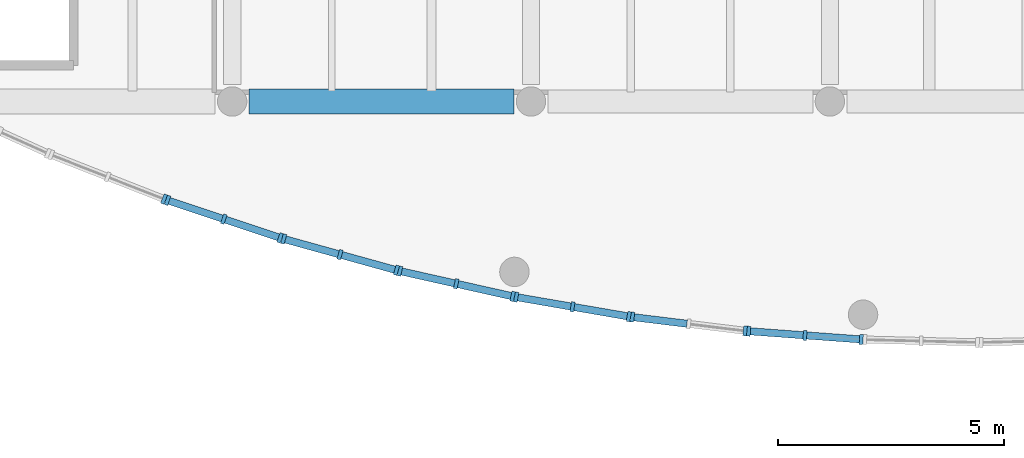
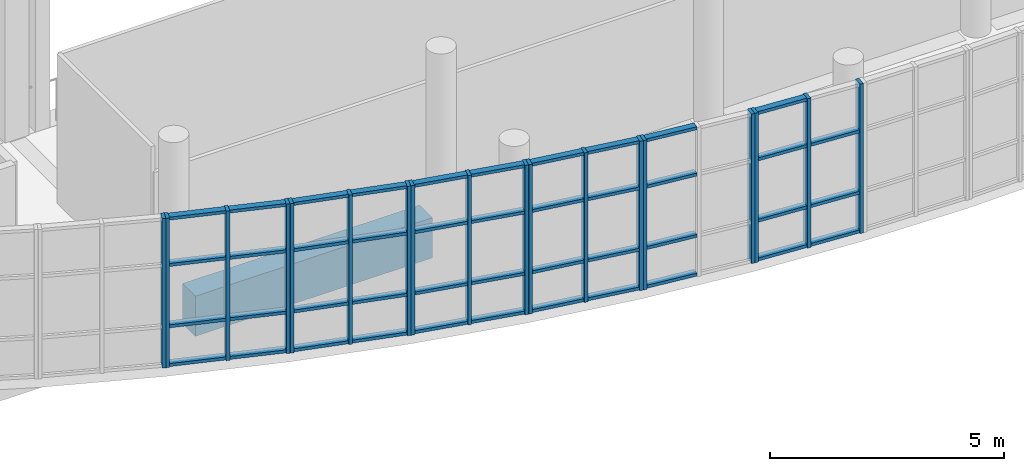
# One storey, part 10 of 67: 61 members, 1 beam, 7 elements without a shape of their own.
"""IFC4 building model written with IfcOpenShell, lengths in metres."""

from ifc_helpers import new_model, si_unit, direction, frame, origin, origin_2d, place, context, subcontext, project, spatial, rectangle, extrude, material, material_profile, profile_set, type_object, element, aggregate, save


model = new_model("IFC4")

# Units and contexts
model_context = context("Model", 3, precision=1e-05, world=origin(), true_north=direction((0.0, 1.0)))
body_context = subcontext(model_context, "Body", "Model", "MODEL_VIEW")
ifc_project = project(units=[si_unit("LENGTHUNIT", "METRE"), si_unit("AREAUNIT", "SQUARE_METRE"), si_unit("VOLUMEUNIT", "CUBIC_METRE"), si_unit("PLANEANGLEUNIT", "RADIAN"), si_unit("MASSUNIT", "GRAM", prefix="KILO")], contexts=[model_context])

# Site, building, storey
site_placement = place(None, origin())
site = spatial("IfcSite", under=ifc_project, at=site_placement, CompositionType="ELEMENT")
building_placement = place(site_placement, origin())
building = spatial("IfcBuilding", under=site, at=building_placement, Name="Ciguamira Faculty of Natural Sciences", CompositionType="ELEMENT")
storey_placement = place(building_placement, frame((0.0, 0.0, 8.39990234375)))
storey = spatial("IfcBuildingStorey", under=building, at=storey_placement, Name="L02", CompositionType="ELEMENT", Elevation=8.39990234375)

# Curtain wall, member
ifc_material_1 = material(Name="Anodized aluminium curtain wall", Category="aluminium")
curtain_wall_type_1 = type_object("IfcCurtainWallType", Name="CurtainWall_CW-07", PredefinedType="USERDEFINED", material=ifc_material_1)
curtain_wall_1_placement = place(storey_placement, origin())
curtain_wall_1 = element("IfcCurtainWall", 1, at=curtain_wall_1_placement, inside=storey, type_object=curtain_wall_type_1, Name="L02 south gallery curved curtain wall 02", ObjectType="UNITISED CURTAIN WALL", PredefinedType="USERDEFINED")
ifc_material_2 = material(Name="Anodized aluminium mullion", Category="aluminium")
ifc_material_profile_1 = material_profile(ifc_material_2, rectangle(XDim=0.080078125, YDim=0.219970703125, at=origin_2d()), Name="ALU-MUL-80X220")
ifc_profile_set_1 = profile_set([ifc_material_profile_1], Name="Anodized aluminium mullion")
member_type_1 = type_object("IfcMemberType", Name="CWMullion_CWM-03", PredefinedType="MULLION", material=ifc_profile_set_1)
member_1_placement = place(storey_placement, frame((68.99609375, 7.84423828125, 0.0), z_axis=(0.0, 0.0, 1.0), x_axis=(0.931122296337, -0.36470710065, 0.0)))
member_1 = element("IfcMember", 2, at=member_1_placement, type_object=member_type_1, Name="CW-07 mullion 3", PredefinedType="MULLION", context=body_context, shape_type="SweptSolid", body=[
    extrude(rectangle(XDim=0.080078125, YDim=0.219970703125, at=origin_2d()), origin(), (0.0, 0.0, 1.0), 3.900146484375),
])
aggregate(curtain_wall_1, [member_1])

# Curtain wall, members
curtain_wall_type_2 = type_object("IfcCurtainWallType", Name="CurtainWall_CW-08", PredefinedType="USERDEFINED", material=ifc_material_1)
curtain_wall_2_placement = place(storey_placement, origin())
curtain_wall_2 = element("IfcCurtainWall", 3, at=curtain_wall_2_placement, inside=storey, type_object=curtain_wall_type_2, Name="L02 south gallery curved curtain wall 03", ObjectType="UNITISED CURTAIN WALL", PredefinedType="USERDEFINED")
member_2_placement = place(storey_placement, frame((69.0712890625, 7.81689453125, 0.0), z_axis=(0.0, 0.0, 1.0), x_axis=(0.948735033862, -0.316072516242, 0.0)))
member_2 = element("IfcMember", 4, at=member_2_placement, type_object=member_type_1, Name="CW-08 mullion 1", PredefinedType="MULLION", context=body_context, shape_type="SweptSolid", body=[
    extrude(rectangle(XDim=0.080078125, YDim=0.219970703125, at=origin_2d()), origin(), (0.0, 0.0, 1.0), 3.900146484375),
])
member_3_placement = place(storey_placement, frame((70.316650390625, 7.402099609375, 0.0), z_axis=(0.0, 0.0, 1.0), x_axis=(0.948735033862, -0.316072516242, 0.0)))
member_3 = element("IfcMember", 5, at=member_3_placement, type_object=member_type_1, Name="CW-08 mullion 2", PredefinedType="MULLION", context=body_context, shape_type="SweptSolid", body=[
    extrude(rectangle(XDim=0.080078125, YDim=0.219970703125, at=origin_2d()), origin(), (0.0, 0.0, 1.0), 3.900146484375),
])
member_4_placement = place(storey_placement, frame((71.56201171875, 6.987060546875, 0.0), z_axis=(0.0, 0.0, 1.0), x_axis=(0.948735033862, -0.316072516242, 0.0)))
member_4 = element("IfcMember", 6, at=member_4_placement, type_object=member_type_1, Name="CW-08 mullion 3", PredefinedType="MULLION", context=body_context, shape_type="SweptSolid", body=[
    extrude(rectangle(XDim=0.080078125, YDim=0.219970703125, at=origin_2d()), origin(), (0.0, 0.0, 1.0), 3.900146484375),
])

curtain_wall_type_3 = type_object("IfcCurtainWallType", Name="CurtainWall_CW-09", PredefinedType="USERDEFINED", material=ifc_material_1)
curtain_wall_3_placement = place(storey_placement, origin())
curtain_wall_3 = element("IfcCurtainWall", 7, at=curtain_wall_3_placement, inside=storey, type_object=curtain_wall_type_3, Name="L02 south gallery curved curtain wall 04", ObjectType="UNITISED CURTAIN WALL", PredefinedType="USERDEFINED")
member_5_placement = place(storey_placement, frame((71.638427734375, 6.9638671875, 0.0), z_axis=(0.0, 0.0, 1.0), x_axis=(0.963573286652, -0.267444426472, 0.0)))
member_5 = element("IfcMember", 8, at=member_5_placement, type_object=member_type_1, Name="CW-09 mullion 1", PredefinedType="MULLION", context=body_context, shape_type="SweptSolid", body=[
    extrude(rectangle(XDim=0.080078125, YDim=0.219970703125, at=origin_2d()), origin(), (0.0, 0.0, 1.0), 3.900146484375),
])
member_6_placement = place(storey_placement, frame((72.88330078125, 6.618408203125, 0.0), z_axis=(0.0, 0.0, 1.0), x_axis=(0.963573286652, -0.267444426472, 0.0)))
member_6 = element("IfcMember", 9, at=member_6_placement, type_object=member_type_1, Name="CW-09 mullion 2", PredefinedType="MULLION", context=body_context, shape_type="SweptSolid", body=[
    extrude(rectangle(XDim=0.080078125, YDim=0.219970703125, at=origin_2d()), origin(), (0.0, 0.0, 1.0), 3.900146484375),
])
member_7_placement = place(storey_placement, frame((74.128173828125, 6.272705078125, 0.0), z_axis=(0.0, 0.0, 1.0), x_axis=(0.963573286652, -0.267444426472, 0.0)))
member_7 = element("IfcMember", 10, at=member_7_placement, type_object=member_type_1, Name="CW-09 mullion 3", PredefinedType="MULLION", context=body_context, shape_type="SweptSolid", body=[
    extrude(rectangle(XDim=0.080078125, YDim=0.219970703125, at=origin_2d()), origin(), (0.0, 0.0, 1.0), 3.900146484375),
])

curtain_wall_type_4 = type_object("IfcCurtainWallType", Name="CurtainWall_CW-10", PredefinedType="USERDEFINED", material=ifc_material_1)
curtain_wall_4_placement = place(storey_placement, origin())
curtain_wall_4 = element("IfcCurtainWall", 11, at=curtain_wall_4_placement, inside=storey, type_object=curtain_wall_type_4, Name="L02 south gallery curved curtain wall 05", ObjectType="UNITISED CURTAIN WALL", PredefinedType="USERDEFINED")
member_8_placement = place(storey_placement, frame((74.205810546875, 6.25341796875, 0.0), z_axis=(0.0, 0.0, 1.0), x_axis=(0.975762990759, -0.218830038763, 0.0)))
member_8 = element("IfcMember", 12, at=member_8_placement, type_object=member_type_1, Name="CW-10 mullion 1", PredefinedType="MULLION", context=body_context, shape_type="SweptSolid", body=[
    extrude(rectangle(XDim=0.080078125, YDim=0.219970703125, at=origin_2d()), origin(), (0.0, 0.0, 1.0), 3.900146484375),
])
member_9_placement = place(storey_placement, frame((75.449951171875, 5.974365234375, 0.0), z_axis=(0.0, 0.0, 1.0), x_axis=(0.975762990759, -0.218830038763, 0.0)))
member_9 = element("IfcMember", 13, at=member_9_placement, type_object=member_type_1, Name="CW-10 mullion 2", PredefinedType="MULLION", context=body_context, shape_type="SweptSolid", body=[
    extrude(rectangle(XDim=0.080078125, YDim=0.219970703125, at=origin_2d()), origin(), (0.0, 0.0, 1.0), 3.900146484375),
])
member_10_placement = place(storey_placement, frame((76.6943359375, 5.6953125, 0.0), z_axis=(0.0, 0.0, 1.0), x_axis=(0.975762990759, -0.218830038763, 0.0)))
member_10 = element("IfcMember", 14, at=member_10_placement, type_object=member_type_1, Name="CW-10 mullion 3", PredefinedType="MULLION", context=body_context, shape_type="SweptSolid", body=[
    extrude(rectangle(XDim=0.080078125, YDim=0.219970703125, at=origin_2d()), origin(), (0.0, 0.0, 1.0), 3.900146484375),
])

curtain_wall_type_5 = type_object("IfcCurtainWallType", Name="CurtainWall_CW-11", PredefinedType="USERDEFINED", material=ifc_material_1)
curtain_wall_5_placement = place(storey_placement, origin())
curtain_wall_5 = element("IfcCurtainWall", 15, at=curtain_wall_5_placement, inside=storey, type_object=curtain_wall_type_5, Name="L02 south gallery curved curtain wall 06", ObjectType="UNITISED CURTAIN WALL", PredefinedType="USERDEFINED")
member_11_placement = place(storey_placement, frame((76.772705078125, 5.6796875, 0.0), z_axis=(0.0, 0.0, 1.0), x_axis=(0.985410865099, -0.170192323402, 0.0)))
member_11 = element("IfcMember", 16, at=member_11_placement, type_object=member_type_1, Name="CW-11 mullion 1", PredefinedType="MULLION", context=body_context, shape_type="SweptSolid", body=[
    extrude(rectangle(XDim=0.080078125, YDim=0.219970703125, at=origin_2d()), origin(), (0.0, 0.0, 1.0), 3.900146484375),
])
member_12_placement = place(storey_placement, frame((78.0166015625, 5.46484375, 0.0), z_axis=(0.0, 0.0, 1.0), x_axis=(0.985410865099, -0.170192323402, 0.0)))
member_12 = element("IfcMember", 17, at=member_12_placement, type_object=member_type_1, Name="CW-11 mullion 2", PredefinedType="MULLION", context=body_context, shape_type="SweptSolid", body=[
    extrude(rectangle(XDim=0.080078125, YDim=0.219970703125, at=origin_2d()), origin(), (0.0, 0.0, 1.0), 3.900146484375),
])
member_13_placement = place(storey_placement, frame((79.260498046875, 5.25, 0.0), z_axis=(0.0, 0.0, 1.0), x_axis=(0.985410865099, -0.170192323402, 0.0)))
member_13 = element("IfcMember", 18, at=member_13_placement, type_object=member_type_1, Name="CW-11 mullion 3", PredefinedType="MULLION", context=body_context, shape_type="SweptSolid", body=[
    extrude(rectangle(XDim=0.080078125, YDim=0.219970703125, at=origin_2d()), origin(), (0.0, 0.0, 1.0), 3.900146484375),
])

curtain_wall_type_6 = type_object("IfcCurtainWallType", Name="CurtainWall_CW-12", PredefinedType="USERDEFINED", material=ifc_material_1)
curtain_wall_6_placement = place(storey_placement, origin())
curtain_wall_6 = element("IfcCurtainWall", 19, at=curtain_wall_6_placement, inside=storey, type_object=curtain_wall_type_6, Name="L02 south gallery curved curtain wall 07", ObjectType="UNITISED CURTAIN WALL", PredefinedType="USERDEFINED")
member_14_placement = place(storey_placement, frame((79.339599609375, 5.23828125, 0.0), z_axis=(0.0, 0.0, 1.0), x_axis=(0.992585912631, -0.12154507825, 0.0)))
member_14 = element("IfcMember", 20, at=member_14_placement, type_object=member_type_1, Name="CW-12 mullion 1", PredefinedType="MULLION", context=body_context, shape_type="SweptSolid", body=[
    extrude(rectangle(XDim=0.080078125, YDim=0.219970703125, at=origin_2d()), origin(), (0.0, 0.0, 1.0), 3.900146484375),
])
member_15_placement = place(storey_placement, frame((81.826904296875, 4.933837890625, 0.0), z_axis=(0.0, 0.0, 1.0), x_axis=(0.992585912631, -0.12154507825, 0.0)))
member_15 = element("IfcMember", 21, at=member_15_placement, type_object=member_type_1, Name="CW-12 mullion 3", PredefinedType="MULLION", context=body_context, shape_type="SweptSolid", body=[
    extrude(rectangle(XDim=0.080078125, YDim=0.219970703125, at=origin_2d()), origin(), (0.0, 0.0, 1.0), 3.900146484375),
])

curtain_wall_type_7 = type_object("IfcCurtainWallType", Name="CurtainWall_CW-01", PredefinedType="USERDEFINED", material=ifc_material_1)
curtain_wall_7_placement = place(storey_placement, origin())
curtain_wall_7 = element("IfcCurtainWall", 22, at=curtain_wall_7_placement, inside=storey, type_object=curtain_wall_type_7, Name="L02 south gallery curved curtain wall 08", ObjectType="UNITISED CURTAIN WALL", PredefinedType="USERDEFINED")
member_16_placement = place(storey_placement, frame((81.906494140625, 4.926025390625, 0.0), z_axis=(0.0, 0.0, 1.0), x_axis=(0.99733655099, -0.072936986916, 0.0)))
member_16 = element("IfcMember", 23, at=member_16_placement, type_object=member_type_1, Name="CW-01 mullion 1", PredefinedType="MULLION", context=body_context, shape_type="SweptSolid", body=[
    extrude(rectangle(XDim=0.080078125, YDim=0.219970703125, at=origin_2d()), origin(), (0.0, 0.0, 1.0), 3.900146484375),
])
member_17_placement = place(storey_placement, frame((83.14990234375, 4.8349609375, 0.0), z_axis=(0.0, 0.0, 1.0), x_axis=(0.99733655099, -0.072936986916, 0.0)))
member_17 = element("IfcMember", 24, at=member_17_placement, type_object=member_type_1, Name="CW-01 mullion 2", PredefinedType="MULLION", context=body_context, shape_type="SweptSolid", body=[
    extrude(rectangle(XDim=0.080078125, YDim=0.219970703125, at=origin_2d()), origin(), (0.0, 0.0, 1.0), 3.900146484375),
])
member_18_placement = place(storey_placement, frame((84.393310546875, 4.744140625, 0.0), z_axis=(0.0, 0.0, 1.0), x_axis=(0.99733655099, -0.072936986916, 0.0)))
member_18 = element("IfcMember", 25, at=member_18_placement, type_object=member_type_1, Name="CW-01 mullion 3", PredefinedType="MULLION", context=body_context, shape_type="SweptSolid", body=[
    extrude(rectangle(XDim=0.080078125, YDim=0.219970703125, at=origin_2d()), origin(), (0.0, 0.0, 1.0), 3.900146484375),
])

# Member
ifc_material_3 = material(Name="Anodized aluminium transom", Category="aluminium")
ifc_material_profile_2 = material_profile(ifc_material_3, rectangle(XDim=0.080078125, YDim=0.159912109375, at=origin_2d()), Name="ALU-TRN-80X160")
ifc_profile_set_2 = profile_set([ifc_material_profile_2], Name="Anodized aluminium transom")
member_type_2 = type_object("IfcMemberType", Name="CWTransom_CWT-03", PredefinedType="USERDEFINED", material=ifc_profile_set_2)
member_19_placement = place(storey_placement, frame((69.109130859375, 7.80419921875, 0.0400390625), z_axis=(0.948802054129, -0.315871274543, 0.0), x_axis=(0.0, 0.0, 1.0)))
member_19 = element("IfcMember", 26, at=member_19_placement, type_object=member_type_2, Name="CW-08 transom 1.1", ObjectType="TRANSOM", PredefinedType="USERDEFINED", context=body_context, shape_type="SweptSolid", body=[
    extrude(rectangle(XDim=0.080078125, YDim=0.159912109375, at=origin_2d()), origin(), (0.0, 0.0, 1.0), 1.23291015625),
])

member_20_placement = place(storey_placement, frame((69.109130859375, 7.80419921875, 1.050048828125), z_axis=(0.948802054129, -0.315871274543, 0.0), x_axis=(0.0, 0.0, 1.0)))
member_20 = element("IfcMember", 27, at=member_20_placement, type_object=member_type_2, Name="CW-08 transom 1.2", ObjectType="TRANSOM", PredefinedType="USERDEFINED", context=body_context, shape_type="SweptSolid", body=[
    extrude(rectangle(XDim=0.080078125, YDim=0.159912109375, at=origin_2d()), origin(), (0.0, 0.0, 1.0), 1.23291015625),
])

member_21_placement = place(storey_placement, frame((69.109130859375, 7.80419921875, 2.650146484375), z_axis=(0.948802054129, -0.315871274543, 0.0), x_axis=(0.0, 0.0, 1.0)))
member_21 = element("IfcMember", 28, at=member_21_placement, type_object=member_type_2, Name="CW-08 transom 1.3", ObjectType="TRANSOM", PredefinedType="USERDEFINED", context=body_context, shape_type="SweptSolid", body=[
    extrude(rectangle(XDim=0.080078125, YDim=0.159912109375, at=origin_2d()), origin(), (0.0, 0.0, 1.0), 1.23291015625),
])

member_22_placement = place(storey_placement, frame((69.109130859375, 7.80419921875, 3.860107421875), z_axis=(0.948802054129, -0.315871274543, 0.0), x_axis=(0.0, 0.0, 1.0)))
member_22 = element("IfcMember", 29, at=member_22_placement, type_object=member_type_2, Name="CW-08 transom 1.4", ObjectType="TRANSOM", PredefinedType="USERDEFINED", context=body_context, shape_type="SweptSolid", body=[
    extrude(rectangle(XDim=0.080078125, YDim=0.159912109375, at=origin_2d()), origin(), (0.0, 0.0, 1.0), 1.23291015625),
])

member_23_placement = place(storey_placement, frame((70.3544921875, 7.389404296875, 0.0400390625), z_axis=(0.948742689117, -0.316049537013, 0.0), x_axis=(0.0, 0.0, 1.0)))
member_23 = element("IfcMember", 30, at=member_23_placement, type_object=member_type_2, Name="CW-08 transom 2.1", ObjectType="TRANSOM", PredefinedType="USERDEFINED", context=body_context, shape_type="SweptSolid", body=[
    extrude(rectangle(XDim=0.080078125, YDim=0.159912109375, at=origin_2d()), origin(), (0.0, 0.0, 1.0), 1.23291015625),
])

member_24_placement = place(storey_placement, frame((70.3544921875, 7.389404296875, 1.050048828125), z_axis=(0.948742689117, -0.316049537013, 0.0), x_axis=(0.0, 0.0, 1.0)))
member_24 = element("IfcMember", 31, at=member_24_placement, type_object=member_type_2, Name="CW-08 transom 2.2", ObjectType="TRANSOM", PredefinedType="USERDEFINED", context=body_context, shape_type="SweptSolid", body=[
    extrude(rectangle(XDim=0.080078125, YDim=0.159912109375, at=origin_2d()), origin(), (0.0, 0.0, 1.0), 1.23291015625),
])

member_25_placement = place(storey_placement, frame((70.3544921875, 7.389404296875, 2.650146484375), z_axis=(0.948742689117, -0.316049537013, 0.0), x_axis=(0.0, 0.0, 1.0)))
member_25 = element("IfcMember", 32, at=member_25_placement, type_object=member_type_2, Name="CW-08 transom 2.3", ObjectType="TRANSOM", PredefinedType="USERDEFINED", context=body_context, shape_type="SweptSolid", body=[
    extrude(rectangle(XDim=0.080078125, YDim=0.159912109375, at=origin_2d()), origin(), (0.0, 0.0, 1.0), 1.23291015625),
])

member_26_placement = place(storey_placement, frame((70.3544921875, 7.389404296875, 3.860107421875), z_axis=(0.948742689117, -0.316049537013, 0.0), x_axis=(0.0, 0.0, 1.0)))
member_26 = element("IfcMember", 33, at=member_26_placement, type_object=member_type_2, Name="CW-08 transom 2.4", ObjectType="TRANSOM", PredefinedType="USERDEFINED", context=body_context, shape_type="SweptSolid", body=[
    extrude(rectangle(XDim=0.080078125, YDim=0.159912109375, at=origin_2d()), origin(), (0.0, 0.0, 1.0), 1.23291015625),
])

aggregate(curtain_wall_2, [member_2, member_3, member_4, member_19, member_20, member_21, member_22, member_23, member_24, member_25, member_26])

member_27_placement = place(storey_placement, frame((71.677001953125, 6.953125, 0.0400390625), z_axis=(0.963549650457, -0.267529570522, 0.0), x_axis=(0.0, 0.0, 1.0)))
member_27 = element("IfcMember", 34, at=member_27_placement, type_object=member_type_2, Name="CW-09 transom 1.1", ObjectType="TRANSOM", PredefinedType="USERDEFINED", context=body_context, shape_type="SweptSolid", body=[
    extrude(rectangle(XDim=0.080078125, YDim=0.159912109375, at=origin_2d()), origin(), (0.0, 0.0, 1.0), 1.2119140625),
])

member_28_placement = place(storey_placement, frame((71.677001953125, 6.953125, 1.050048828125), z_axis=(0.963549650457, -0.267529570522, 0.0), x_axis=(0.0, 0.0, 1.0)))
member_28 = element("IfcMember", 35, at=member_28_placement, type_object=member_type_2, Name="CW-09 transom 1.2", ObjectType="TRANSOM", PredefinedType="USERDEFINED", context=body_context, shape_type="SweptSolid", body=[
    extrude(rectangle(XDim=0.080078125, YDim=0.159912109375, at=origin_2d()), origin(), (0.0, 0.0, 1.0), 1.2119140625),
])

member_29_placement = place(storey_placement, frame((71.677001953125, 6.953125, 2.650146484375), z_axis=(0.963549650457, -0.267529570522, 0.0), x_axis=(0.0, 0.0, 1.0)))
member_29 = element("IfcMember", 36, at=member_29_placement, type_object=member_type_2, Name="CW-09 transom 1.3", ObjectType="TRANSOM", PredefinedType="USERDEFINED", context=body_context, shape_type="SweptSolid", body=[
    extrude(rectangle(XDim=0.080078125, YDim=0.159912109375, at=origin_2d()), origin(), (0.0, 0.0, 1.0), 1.2119140625),
])

member_30_placement = place(storey_placement, frame((71.677001953125, 6.953125, 3.860107421875), z_axis=(0.963549650457, -0.267529570522, 0.0), x_axis=(0.0, 0.0, 1.0)))
member_30 = element("IfcMember", 37, at=member_30_placement, type_object=member_type_2, Name="CW-09 transom 1.4", ObjectType="TRANSOM", PredefinedType="USERDEFINED", context=body_context, shape_type="SweptSolid", body=[
    extrude(rectangle(XDim=0.080078125, YDim=0.159912109375, at=origin_2d()), origin(), (0.0, 0.0, 1.0), 1.2119140625),
])

member_31_placement = place(storey_placement, frame((72.921875, 6.607666015625, 0.0400390625), z_axis=(0.963549650457, -0.267529570522, 0.0), x_axis=(0.0, 0.0, 1.0)))
member_31 = element("IfcMember", 38, at=member_31_placement, type_object=member_type_2, Name="CW-09 transom 2.1", ObjectType="TRANSOM", PredefinedType="USERDEFINED", context=body_context, shape_type="SweptSolid", body=[
    extrude(rectangle(XDim=0.080078125, YDim=0.159912109375, at=origin_2d()), origin(), (0.0, 0.0, 1.0), 1.2119140625),
])

member_32_placement = place(storey_placement, frame((72.921875, 6.607666015625, 1.050048828125), z_axis=(0.963549650457, -0.267529570522, 0.0), x_axis=(0.0, 0.0, 1.0)))
member_32 = element("IfcMember", 39, at=member_32_placement, type_object=member_type_2, Name="CW-09 transom 2.2", ObjectType="TRANSOM", PredefinedType="USERDEFINED", context=body_context, shape_type="SweptSolid", body=[
    extrude(rectangle(XDim=0.080078125, YDim=0.159912109375, at=origin_2d()), origin(), (0.0, 0.0, 1.0), 1.2119140625),
])

member_33_placement = place(storey_placement, frame((72.921875, 6.607666015625, 2.650146484375), z_axis=(0.963549650457, -0.267529570522, 0.0), x_axis=(0.0, 0.0, 1.0)))
member_33 = element("IfcMember", 40, at=member_33_placement, type_object=member_type_2, Name="CW-09 transom 2.3", ObjectType="TRANSOM", PredefinedType="USERDEFINED", context=body_context, shape_type="SweptSolid", body=[
    extrude(rectangle(XDim=0.080078125, YDim=0.159912109375, at=origin_2d()), origin(), (0.0, 0.0, 1.0), 1.2119140625),
])

member_34_placement = place(storey_placement, frame((72.921875, 6.607666015625, 3.860107421875), z_axis=(0.963549650457, -0.267529570522, 0.0), x_axis=(0.0, 0.0, 1.0)))
member_34 = element("IfcMember", 41, at=member_34_placement, type_object=member_type_2, Name="CW-09 transom 2.4", ObjectType="TRANSOM", PredefinedType="USERDEFINED", context=body_context, shape_type="SweptSolid", body=[
    extrude(rectangle(XDim=0.080078125, YDim=0.159912109375, at=origin_2d()), origin(), (0.0, 0.0, 1.0), 1.2119140625),
])

aggregate(curtain_wall_3, [member_5, member_6, member_7, member_27, member_28, member_29, member_30, member_31, member_32, member_33, member_34])

member_35_placement = place(storey_placement, frame((74.244873046875, 6.24462890625, 0.0400390625), z_axis=(0.975767018908, -0.218812076476, 0.0), x_axis=(0.0, 0.0, 1.0)))
member_35 = element("IfcMember", 42, at=member_35_placement, type_object=member_type_2, Name="CW-10 transom 1.1", ObjectType="TRANSOM", PredefinedType="USERDEFINED", context=body_context, shape_type="SweptSolid", body=[
    extrude(rectangle(XDim=0.080078125, YDim=0.159912109375, at=origin_2d()), origin(), (0.0, 0.0, 1.0), 1.195068359375),
])

member_36_placement = place(storey_placement, frame((74.244873046875, 6.24462890625, 1.050048828125), z_axis=(0.975767018908, -0.218812076476, 0.0), x_axis=(0.0, 0.0, 1.0)))
member_36 = element("IfcMember", 43, at=member_36_placement, type_object=member_type_2, Name="CW-10 transom 1.2", ObjectType="TRANSOM", PredefinedType="USERDEFINED", context=body_context, shape_type="SweptSolid", body=[
    extrude(rectangle(XDim=0.080078125, YDim=0.159912109375, at=origin_2d()), origin(), (0.0, 0.0, 1.0), 1.195068359375),
])

member_37_placement = place(storey_placement, frame((74.244873046875, 6.24462890625, 2.650146484375), z_axis=(0.975767018908, -0.218812076476, 0.0), x_axis=(0.0, 0.0, 1.0)))
member_37 = element("IfcMember", 44, at=member_37_placement, type_object=member_type_2, Name="CW-10 transom 1.3", ObjectType="TRANSOM", PredefinedType="USERDEFINED", context=body_context, shape_type="SweptSolid", body=[
    extrude(rectangle(XDim=0.080078125, YDim=0.159912109375, at=origin_2d()), origin(), (0.0, 0.0, 1.0), 1.195068359375),
])

member_38_placement = place(storey_placement, frame((74.244873046875, 6.24462890625, 3.860107421875), z_axis=(0.975767018908, -0.218812076476, 0.0), x_axis=(0.0, 0.0, 1.0)))
member_38 = element("IfcMember", 45, at=member_38_placement, type_object=member_type_2, Name="CW-10 transom 1.4", ObjectType="TRANSOM", PredefinedType="USERDEFINED", context=body_context, shape_type="SweptSolid", body=[
    extrude(rectangle(XDim=0.080078125, YDim=0.159912109375, at=origin_2d()), origin(), (0.0, 0.0, 1.0), 1.195068359375),
])

member_39_placement = place(storey_placement, frame((75.489013671875, 5.965576171875, 0.0400390625), z_axis=(0.97577679791, -0.218768463588, 0.0), x_axis=(0.0, 0.0, 1.0)))
member_39 = element("IfcMember", 46, at=member_39_placement, type_object=member_type_2, Name="CW-10 transom 2.1", ObjectType="TRANSOM", PredefinedType="USERDEFINED", context=body_context, shape_type="SweptSolid", body=[
    extrude(rectangle(XDim=0.080078125, YDim=0.159912109375, at=origin_2d()), origin(), (0.0, 0.0, 1.0), 1.1953125),
])

member_40_placement = place(storey_placement, frame((75.489013671875, 5.965576171875, 1.050048828125), z_axis=(0.97577679791, -0.218768463588, 0.0), x_axis=(0.0, 0.0, 1.0)))
member_40 = element("IfcMember", 47, at=member_40_placement, type_object=member_type_2, Name="CW-10 transom 2.2", ObjectType="TRANSOM", PredefinedType="USERDEFINED", context=body_context, shape_type="SweptSolid", body=[
    extrude(rectangle(XDim=0.080078125, YDim=0.159912109375, at=origin_2d()), origin(), (0.0, 0.0, 1.0), 1.1953125),
])

member_41_placement = place(storey_placement, frame((75.489013671875, 5.965576171875, 2.650146484375), z_axis=(0.97577679791, -0.218768463588, 0.0), x_axis=(0.0, 0.0, 1.0)))
member_41 = element("IfcMember", 48, at=member_41_placement, type_object=member_type_2, Name="CW-10 transom 2.3", ObjectType="TRANSOM", PredefinedType="USERDEFINED", context=body_context, shape_type="SweptSolid", body=[
    extrude(rectangle(XDim=0.080078125, YDim=0.159912109375, at=origin_2d()), origin(), (0.0, 0.0, 1.0), 1.1953125),
])

member_42_placement = place(storey_placement, frame((75.489013671875, 5.965576171875, 3.860107421875), z_axis=(0.97577679791, -0.218768463588, 0.0), x_axis=(0.0, 0.0, 1.0)))
member_42 = element("IfcMember", 49, at=member_42_placement, type_object=member_type_2, Name="CW-10 transom 2.4", ObjectType="TRANSOM", PredefinedType="USERDEFINED", context=body_context, shape_type="SweptSolid", body=[
    extrude(rectangle(XDim=0.080078125, YDim=0.159912109375, at=origin_2d()), origin(), (0.0, 0.0, 1.0), 1.1953125),
])

aggregate(curtain_wall_4, [member_8, member_9, member_10, member_35, member_36, member_37, member_38, member_39, member_40, member_41, member_42])

member_43_placement = place(storey_placement, frame((76.81201171875, 5.6728515625, 0.0400390625), z_axis=(0.985423139827, -0.170121237632, 0.0), x_axis=(0.0, 0.0, 1.0)))
member_43 = element("IfcMember", 50, at=member_43_placement, type_object=member_type_2, Name="CW-11 transom 1.1", ObjectType="TRANSOM", PredefinedType="USERDEFINED", context=body_context, shape_type="SweptSolid", body=[
    extrude(rectangle(XDim=0.080078125, YDim=0.159912109375, at=origin_2d()), origin(), (0.0, 0.0, 1.0), 1.1826171875),
])

member_44_placement = place(storey_placement, frame((76.81201171875, 5.6728515625, 1.050048828125), z_axis=(0.985423139827, -0.170121237632, 0.0), x_axis=(0.0, 0.0, 1.0)))
member_44 = element("IfcMember", 51, at=member_44_placement, type_object=member_type_2, Name="CW-11 transom 1.2", ObjectType="TRANSOM", PredefinedType="USERDEFINED", context=body_context, shape_type="SweptSolid", body=[
    extrude(rectangle(XDim=0.080078125, YDim=0.159912109375, at=origin_2d()), origin(), (0.0, 0.0, 1.0), 1.1826171875),
])

member_45_placement = place(storey_placement, frame((76.81201171875, 5.6728515625, 2.650146484375), z_axis=(0.985423139827, -0.170121237632, 0.0), x_axis=(0.0, 0.0, 1.0)))
member_45 = element("IfcMember", 52, at=member_45_placement, type_object=member_type_2, Name="CW-11 transom 1.3", ObjectType="TRANSOM", PredefinedType="USERDEFINED", context=body_context, shape_type="SweptSolid", body=[
    extrude(rectangle(XDim=0.080078125, YDim=0.159912109375, at=origin_2d()), origin(), (0.0, 0.0, 1.0), 1.1826171875),
])

member_46_placement = place(storey_placement, frame((76.81201171875, 5.6728515625, 3.860107421875), z_axis=(0.985423139827, -0.170121237632, 0.0), x_axis=(0.0, 0.0, 1.0)))
member_46 = element("IfcMember", 53, at=member_46_placement, type_object=member_type_2, Name="CW-11 transom 1.4", ObjectType="TRANSOM", PredefinedType="USERDEFINED", context=body_context, shape_type="SweptSolid", body=[
    extrude(rectangle(XDim=0.080078125, YDim=0.159912109375, at=origin_2d()), origin(), (0.0, 0.0, 1.0), 1.1826171875),
])

member_47_placement = place(storey_placement, frame((78.05615234375, 5.4580078125, 0.0400390625), z_axis=(0.985417162859, -0.170155855448, 0.0), x_axis=(0.0, 0.0, 1.0)))
member_47 = element("IfcMember", 54, at=member_47_placement, type_object=member_type_2, Name="CW-11 transom 2.1", ObjectType="TRANSOM", PredefinedType="USERDEFINED", context=body_context, shape_type="SweptSolid", body=[
    extrude(rectangle(XDim=0.080078125, YDim=0.159912109375, at=origin_2d()), origin(), (0.0, 0.0, 1.0), 1.182373046875),
])

member_48_placement = place(storey_placement, frame((78.05615234375, 5.4580078125, 1.050048828125), z_axis=(0.985417162859, -0.170155855448, 0.0), x_axis=(0.0, 0.0, 1.0)))
member_48 = element("IfcMember", 55, at=member_48_placement, type_object=member_type_2, Name="CW-11 transom 2.2", ObjectType="TRANSOM", PredefinedType="USERDEFINED", context=body_context, shape_type="SweptSolid", body=[
    extrude(rectangle(XDim=0.080078125, YDim=0.159912109375, at=origin_2d()), origin(), (0.0, 0.0, 1.0), 1.182373046875),
])

member_49_placement = place(storey_placement, frame((78.05615234375, 5.4580078125, 2.650146484375), z_axis=(0.985417162859, -0.170155855448, 0.0), x_axis=(0.0, 0.0, 1.0)))
member_49 = element("IfcMember", 56, at=member_49_placement, type_object=member_type_2, Name="CW-11 transom 2.3", ObjectType="TRANSOM", PredefinedType="USERDEFINED", context=body_context, shape_type="SweptSolid", body=[
    extrude(rectangle(XDim=0.080078125, YDim=0.159912109375, at=origin_2d()), origin(), (0.0, 0.0, 1.0), 1.182373046875),
])

member_50_placement = place(storey_placement, frame((78.05615234375, 5.4580078125, 3.860107421875), z_axis=(0.985417162859, -0.170155855448, 0.0), x_axis=(0.0, 0.0, 1.0)))
member_50 = element("IfcMember", 57, at=member_50_placement, type_object=member_type_2, Name="CW-11 transom 2.4", ObjectType="TRANSOM", PredefinedType="USERDEFINED", context=body_context, shape_type="SweptSolid", body=[
    extrude(rectangle(XDim=0.080078125, YDim=0.159912109375, at=origin_2d()), origin(), (0.0, 0.0, 1.0), 1.182373046875),
])

aggregate(curtain_wall_5, [member_11, member_12, member_13, member_43, member_44, member_45, member_46, member_47, member_48, member_49, member_50])

member_51_placement = place(storey_placement, frame((79.37939453125, 5.2333984375, 0.0400390625), z_axis=(0.992585363796, -0.121549560171, 0.0), x_axis=(0.0, 0.0, 1.0)))
member_51 = element("IfcMember", 58, at=member_51_placement, type_object=member_type_2, Name="CW-12 transom 1.1", ObjectType="TRANSOM", PredefinedType="USERDEFINED", context=body_context, shape_type="SweptSolid", body=[
    extrude(rectangle(XDim=0.080078125, YDim=0.159912109375, at=origin_2d()), origin(), (0.0, 0.0, 1.0), 1.173095703125),
])

member_52_placement = place(storey_placement, frame((79.37939453125, 5.2333984375, 1.050048828125), z_axis=(0.992585363796, -0.121549560171, 0.0), x_axis=(0.0, 0.0, 1.0)))
member_52 = element("IfcMember", 59, at=member_52_placement, type_object=member_type_2, Name="CW-12 transom 1.2", ObjectType="TRANSOM", PredefinedType="USERDEFINED", context=body_context, shape_type="SweptSolid", body=[
    extrude(rectangle(XDim=0.080078125, YDim=0.159912109375, at=origin_2d()), origin(), (0.0, 0.0, 1.0), 1.173095703125),
])

member_53_placement = place(storey_placement, frame((79.37939453125, 5.2333984375, 2.650146484375), z_axis=(0.992585363796, -0.121549560171, 0.0), x_axis=(0.0, 0.0, 1.0)))
member_53 = element("IfcMember", 60, at=member_53_placement, type_object=member_type_2, Name="CW-12 transom 1.3", ObjectType="TRANSOM", PredefinedType="USERDEFINED", context=body_context, shape_type="SweptSolid", body=[
    extrude(rectangle(XDim=0.080078125, YDim=0.159912109375, at=origin_2d()), origin(), (0.0, 0.0, 1.0), 1.173095703125),
])

member_54_placement = place(storey_placement, frame((79.37939453125, 5.2333984375, 3.860107421875), z_axis=(0.992585363796, -0.121549560171, 0.0), x_axis=(0.0, 0.0, 1.0)))
member_54 = element("IfcMember", 61, at=member_54_placement, type_object=member_type_2, Name="CW-12 transom 1.4", ObjectType="TRANSOM", PredefinedType="USERDEFINED", context=body_context, shape_type="SweptSolid", body=[
    extrude(rectangle(XDim=0.080078125, YDim=0.159912109375, at=origin_2d()), origin(), (0.0, 0.0, 1.0), 1.173095703125),
])

aggregate(curtain_wall_6, [member_14, member_15, member_51, member_52, member_53, member_54])

member_55_placement = place(storey_placement, frame((81.946533203125, 4.923095703125, 0.0400390625), z_axis=(0.997329635901, -0.073031481941, 0.0), x_axis=(0.0, 0.0, 1.0)))
member_55 = element("IfcMember", 62, at=member_55_placement, type_object=member_type_2, Name="CW-01 transom 1.1", ObjectType="TRANSOM", PredefinedType="USERDEFINED", context=body_context, shape_type="SweptSolid", body=[
    extrude(rectangle(XDim=0.080078125, YDim=0.159912109375, at=origin_2d()), origin(), (0.0, 0.0, 1.0), 1.166748046875),
])

member_56_placement = place(storey_placement, frame((81.946533203125, 4.923095703125, 1.050048828125), z_axis=(0.997329635901, -0.073031481941, 0.0), x_axis=(0.0, 0.0, 1.0)))
member_56 = element("IfcMember", 63, at=member_56_placement, type_object=member_type_2, Name="CW-01 transom 1.2", ObjectType="TRANSOM", PredefinedType="USERDEFINED", context=body_context, shape_type="SweptSolid", body=[
    extrude(rectangle(XDim=0.080078125, YDim=0.159912109375, at=origin_2d()), origin(), (0.0, 0.0, 1.0), 1.166748046875),
])

member_57_placement = place(storey_placement, frame((81.946533203125, 4.923095703125, 2.650146484375), z_axis=(0.997329635901, -0.073031481941, 0.0), x_axis=(0.0, 0.0, 1.0)))
member_57 = element("IfcMember", 64, at=member_57_placement, type_object=member_type_2, Name="CW-01 transom 1.3", ObjectType="TRANSOM", PredefinedType="USERDEFINED", context=body_context, shape_type="SweptSolid", body=[
    extrude(rectangle(XDim=0.080078125, YDim=0.159912109375, at=origin_2d()), origin(), (0.0, 0.0, 1.0), 1.166748046875),
])

member_58_placement = place(storey_placement, frame((81.946533203125, 4.923095703125, 3.860107421875), z_axis=(0.997329635901, -0.073031481941, 0.0), x_axis=(0.0, 0.0, 1.0)))
member_58 = element("IfcMember", 65, at=member_58_placement, type_object=member_type_2, Name="CW-01 transom 1.4", ObjectType="TRANSOM", PredefinedType="USERDEFINED", context=body_context, shape_type="SweptSolid", body=[
    extrude(rectangle(XDim=0.080078125, YDim=0.159912109375, at=origin_2d()), origin(), (0.0, 0.0, 1.0), 1.166748046875),
])

member_59_placement = place(storey_placement, frame((83.18994140625, 4.83203125, 0.0400390625), z_axis=(0.997344856117, -0.072823334018, 0.0), x_axis=(0.0, 0.0, 1.0)))
member_59 = element("IfcMember", 66, at=member_59_placement, type_object=member_type_2, Name="CW-01 transom 2.1", ObjectType="TRANSOM", PredefinedType="USERDEFINED", context=body_context, shape_type="SweptSolid", body=[
    extrude(rectangle(XDim=0.080078125, YDim=0.159912109375, at=origin_2d()), origin(), (0.0, 0.0, 1.0), 1.166748046875),
])

member_60_placement = place(storey_placement, frame((83.18994140625, 4.83203125, 1.050048828125), z_axis=(0.997344856117, -0.072823334018, 0.0), x_axis=(0.0, 0.0, 1.0)))
member_60 = element("IfcMember", 67, at=member_60_placement, type_object=member_type_2, Name="CW-01 transom 2.2", ObjectType="TRANSOM", PredefinedType="USERDEFINED", context=body_context, shape_type="SweptSolid", body=[
    extrude(rectangle(XDim=0.080078125, YDim=0.159912109375, at=origin_2d()), origin(), (0.0, 0.0, 1.0), 1.166748046875),
])

member_61_placement = place(storey_placement, frame((83.18994140625, 4.83203125, 2.650146484375), z_axis=(0.997344856117, -0.072823334018, 0.0), x_axis=(0.0, 0.0, 1.0)))
member_61 = element("IfcMember", 68, at=member_61_placement, type_object=member_type_2, Name="CW-01 transom 2.3", ObjectType="TRANSOM", PredefinedType="USERDEFINED", context=body_context, shape_type="SweptSolid", body=[
    extrude(rectangle(XDim=0.080078125, YDim=0.159912109375, at=origin_2d()), origin(), (0.0, 0.0, 1.0), 1.166748046875),
])

aggregate(curtain_wall_7, [member_16, member_17, member_18, member_55, member_56, member_57, member_58, member_59, member_60, member_61])

# Beam
ifc_material_4 = material(Name="Concrete C40/50", Category="concrete")
ifc_material_profile_3 = material_profile(ifc_material_4, rectangle(XDim=0.550048828125, YDim=1.050048828125, at=origin_2d()), Name="RC-BM-550X1050")
ifc_profile_set_3 = profile_set([ifc_material_profile_3], Name="Concrete C40/50")
beam_type = type_object("IfcBeamType", Name="RCBeam_BG-01_RC-BM-550X1050", PredefinedType="BEAM", material=ifc_profile_set_3)
beam_placement = place(storey_placement, frame((70.875, 10.0, -0.52490234375), z_axis=(1.0, 0.0, 0.0), x_axis=(0.0, 1.0, 0.0)))
element("IfcBeam", 69, at=beam_placement, inside=storey, type_object=beam_type, Name="L02 RC girder EW-0722", PredefinedType="BEAM", context=body_context, shape_type="SweptSolid", body=[
    extrude(rectangle(XDim=0.550048828125, YDim=1.050048828125, at=origin_2d()), origin(), (0.0, 0.0, 1.0), 5.85009765625),
])

save(model, "model.ifc")
